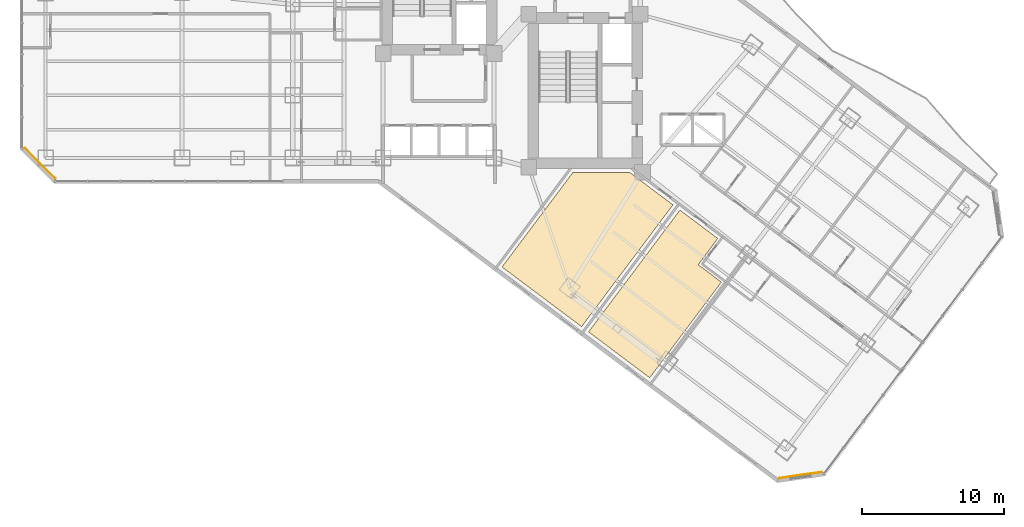
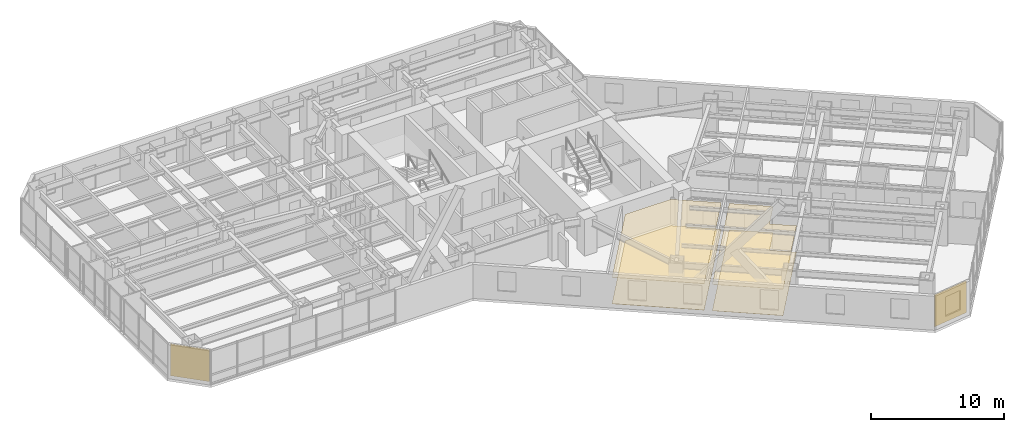
# One storey, part 29 of 33: 6 coverings.
"""IFC4 building model written with IfcOpenShell, lengths in metres."""

from ifc_helpers import new_model, si_unit, direction, frame, origin, origin_2d, place, context, subcontext, project, spatial, polyline, rectangle, outline, extrude, material, layer, layer_set, type_object, element, save


model = new_model("IFC4")

# Units and contexts
model_context = context("Model", 3, precision=1e-05, world=origin(), true_north=direction((0.0, 1.0)))
body_context = subcontext(model_context, "Body", "Model", "MODEL_VIEW")
ifc_project = project(units=[si_unit("LENGTHUNIT", "METRE"), si_unit("AREAUNIT", "SQUARE_METRE"), si_unit("VOLUMEUNIT", "CUBIC_METRE"), si_unit("PLANEANGLEUNIT", "RADIAN"), si_unit("MASSUNIT", "GRAM", prefix="KILO")], contexts=[model_context])

# Site, building, storey
site_placement = place(None, origin())
site = spatial("IfcSite", under=ifc_project, at=site_placement, CompositionType="ELEMENT")
building_placement = place(site_placement, origin())
building = spatial("IfcBuilding", under=site, at=building_placement, Name="Hatsunagi Terrace Concourse", CompositionType="ELEMENT")
storey_placement = place(building_placement, frame((0.0, 0.0, 43.300048828125)))
storey = spatial("IfcBuildingStorey", under=building, at=storey_placement, Name="L10", CompositionType="ELEMENT", Elevation=43.300048828125)

# Coverings
ifc_material_1 = material(Name="Acoustic mineral board", Category="gypsum")
ifc_layer_1 = layer(ifc_material_1, 0.02001953125)
ifc_layer_set_1 = layer_set([ifc_layer_1], Name="AcousticMineralCeiling_20")
covering_type_1 = type_object("IfcCoveringType", Name="AcousticMineralCeiling_20", PredefinedType="CEILING", material=ifc_layer_set_1)
covering_1_placement = place(storey_placement, frame((0.0, 0.0, 2.419921875)))
element("IfcCovering", 1, at=covering_1_placement, inside=storey, type_object=covering_type_1, Name="Suspended Ceiling L10-2", PredefinedType="CEILING", context=body_context, shape_type="SweptSolid", body=[
    extrude(outline(polyline([(44.31005859375, 9.72998046875), (49.35693359375, 16.4599609375), (47.721923828125, 17.68994140625), (49.10400390625, 19.534912109375), (46.43798828125, 21.533935546875), (40.006103515625, 12.9580078125), (44.31005859375, 9.72998046875)])), origin(), (0.0, 0.0, 1.0), 0.02001953125),
])
ifc_material_2 = material(Name="Granite stone paving", Category="masonry")
ifc_layer_2 = layer(ifc_material_2, 0.02490234375)
ifc_layer_set_2 = layer_set([ifc_layer_2], Name="GraniteStoneFlooring_25")
covering_type_2 = type_object("IfcCoveringType", Name="GraniteStoneFlooring_25", PredefinedType="FLOORING", material=ifc_layer_set_2)
covering_2_placement = place(storey_placement, origin())
element("IfcCovering", 2, at=covering_2_placement, inside=storey, type_object=covering_type_2, Name="Finished Flooring L10-1", PredefinedType="FLOORING", context=body_context, shape_type="SweptSolid", body=[
    extrude(outline(polyline([(39.51806640625, 13.323974609375), (45.949951171875, 21.89990234375), (42.89697265625, 24.18994140625), (38.9169921875, 24.18994140625), (33.91796875, 17.52392578125), (39.51806640625, 13.323974609375)])), origin(), (0.0, 0.0, 1.0), 0.02490234375),
])
ifc_material_3 = material(Name="Hardwood timber", Category="wood")
ifc_layer_3 = layer(ifc_material_3, 0.014892578125)
ifc_layer_set_3 = layer_set([ifc_layer_3], Name="HardwoodTimberFlooring_15")
covering_type_3 = type_object("IfcCoveringType", Name="HardwoodTimberFlooring_15", PredefinedType="FLOORING", material=ifc_layer_set_3)
covering_3_placement = place(storey_placement, origin())
element("IfcCovering", 3, at=covering_3_placement, inside=storey, type_object=covering_type_3, Name="Finished Flooring L10-2", PredefinedType="FLOORING", context=body_context, shape_type="SweptSolid", body=[
    extrude(outline(polyline([(44.31005859375, 9.72998046875), (49.35693359375, 16.4599609375), (47.721923828125, 17.68994140625), (49.10400390625, 19.534912109375), (46.43798828125, 21.533935546875), (40.006103515625, 12.9580078125), (44.31005859375, 9.72998046875)])), origin(), (0.0, 0.0, 1.0), 0.014892578125),
])
ifc_material_4 = material(Name="Unglazed Warm Terracotta Rainscreen Tile", Category="masonry")
ifc_layer_4 = layer(ifc_material_4, 0.044921875)
ifc_layer_set_4 = layer_set([ifc_layer_4], Name="TerracottaRainscreenCladding_45")
covering_type_4 = type_object("IfcCoveringType", Name="TerracottaRainscreenCladding_45", PredefinedType="CLADDING", material=ifc_layer_set_4)
for number, where, z_axis, x_axis, name in (
    (4, (54.91796875, 2.87890625, 0.10009765625), (0.0, 0.0, 1.0), (-0.989973920543, -0.141250262458, 0.0), "Terracotta Rainscreen Cladding L10-04"),
    (5, (1.4140625, 24.81396484375, 0.10009765625), (0.0, 0.0, 1.0), (-0.707106781187, 0.707106781187, 0.0), "Terracotta Rainscreen Cladding L10-08"),
):
    element("IfcCovering", number, at=place(storey_placement, frame(where, z_axis=z_axis, x_axis=x_axis)), inside=storey, type_object=covering_type_4, Name=name, PredefinedType="CLADDING", context=body_context, shape_type="SweptSolid", body=[
        extrude(rectangle(XDim=3.0380859375, YDim=0.044921875, at=origin_2d()), origin(), (0.0, 0.0, 1.0), 2.929931640625),
    ])
ifc_material_5 = material(Name="Hardwood timber", Category="wood")
ifc_layer_5 = layer(ifc_material_5, 0.034912109375)
ifc_layer_set_5 = layer_set([ifc_layer_5], Name="TimberBaffleCeiling_35")
covering_type_5 = type_object("IfcCoveringType", Name="TimberBaffleCeiling_35", PredefinedType="CEILING", material=ifc_layer_set_5)
covering_4_placement = place(storey_placement, frame((0.0, 0.0, 2.419921875)))
element("IfcCovering", 6, at=covering_4_placement, inside=storey, type_object=covering_type_5, Name="Suspended Ceiling L10-1", PredefinedType="CEILING", context=body_context, shape_type="SweptSolid", body=[
    extrude(outline(polyline([(39.51806640625, 13.323974609375), (45.949951171875, 21.89990234375), (42.89697265625, 24.18994140625), (38.9169921875, 24.18994140625), (33.91796875, 17.52392578125), (39.51806640625, 13.323974609375)])), origin(), (0.0, 0.0, 1.0), 0.034912109375),
])

save(model, "model.ifc")
